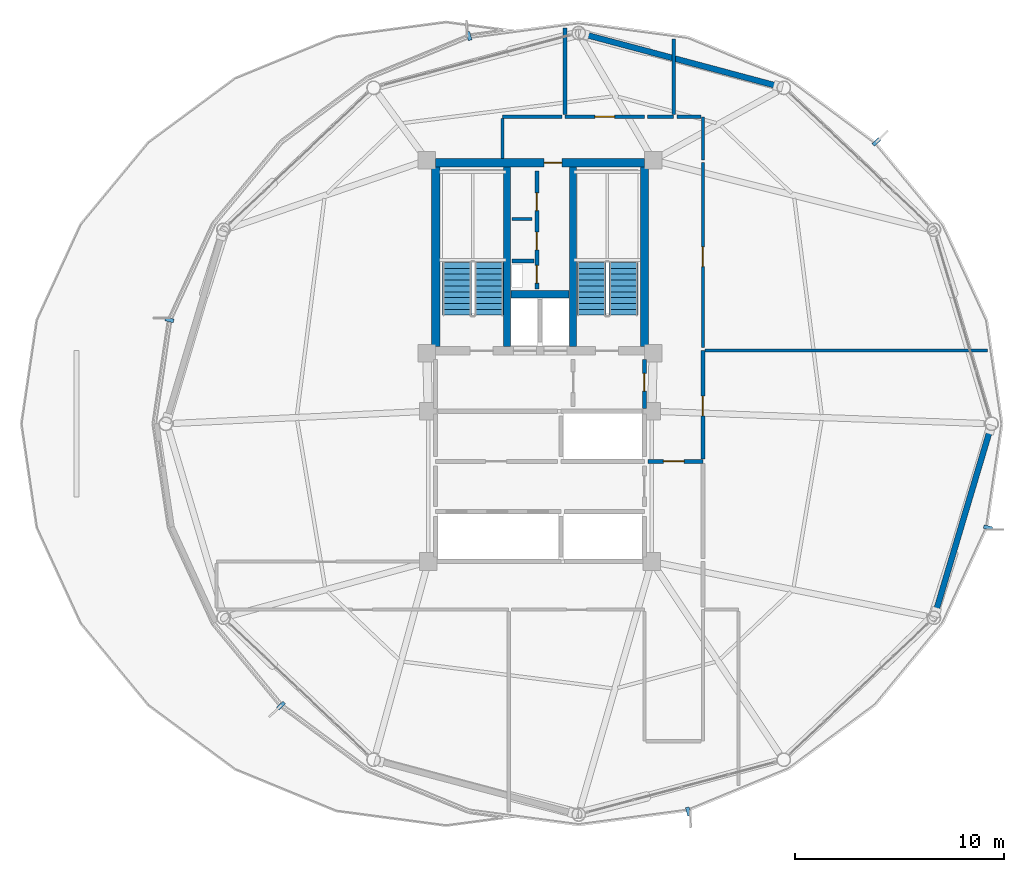
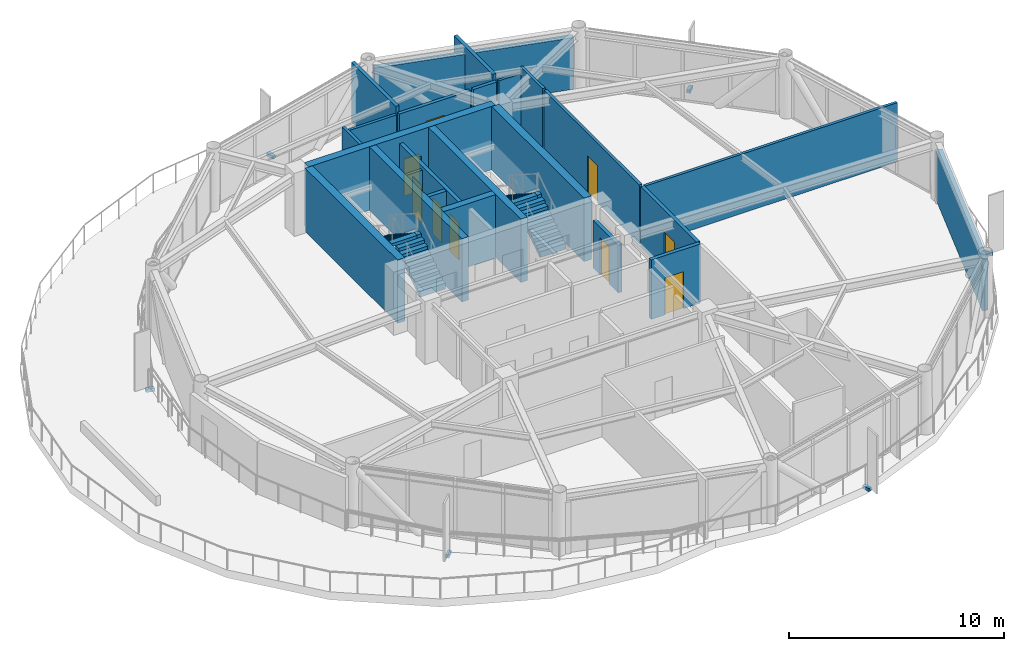
# One storey, part 21 of 25: 24 walls, 9 doors, 6 discrete accessories, 4 stair flights, 9 openings, 2 elements without a shape of their own.
"""IFC4 building model written with IfcOpenShell, lengths in metres."""

import ifcopenshell
import ifcopenshell.guid

model = None  # the IFC model being written
_history = None  # IfcOwnerHistory: only IFC2X3 demands one
_inside = {}  # id of a spatial element -> (the spatial element, [elements in it])
_under = {}  # id of a project, library or spatial element -> (it, [spatial elements below it])
_declared = {}  # id of a project -> (the project, [libraries it declares])
_typed = {}  # id of a type object -> (the type object, [elements of that type])
_made_of = {}  # id of a material, layer set ... -> (it, [elements and type objects made of it])


def new_model(schema):
    """Start an empty IFC model of exactly this schema.

    Asked for "IFC4X3", IfcOpenShell would pick the latest addendum, in which some entities
    have other attributes; the version numbers below select the first issue.
    IFC2X3 requires an IfcOwnerHistory on every rooted entity: one is made here for all.
    """
    global model, _history
    if schema == "IFC4X3":
        model = ifcopenshell.file(schema_version=(4, 3, 0, 0))
    else:
        model = ifcopenshell.file(schema=schema)
    _inside.clear()
    _under.clear()
    _declared.clear()
    _typed.clear()
    _made_of.clear()
    _history = None
    if model.schema == "IFC2X3":
        org = make("IfcOrganization", Name="unknown")
        user = make(
            "IfcPersonAndOrganization",
            ThePerson=make("IfcPerson", FamilyName="unknown"),
            TheOrganization=org,
        )
        app = make(
            "IfcApplication",
            ApplicationDeveloper=org,
            Version="unknown",
            ApplicationFullName="unknown",
            ApplicationIdentifier="unknown",
        )
        _history = make(
            "IfcOwnerHistory",
            OwningUser=user,
            OwningApplication=app,
            ChangeAction="ADDED",
            CreationDate=0,
        )
    return model


def make(cls, **values):
    """One entity of the class cls with the attributes given. An attribute that is None is left unset."""
    return model.create_entity(
        cls, **{name: value for name, value in values.items() if value is not None}
    )


def rooted(cls, **values):
    """An entity with a GlobalId (a new one), such as an element, a storey or a relation."""
    return make(cls, GlobalId=ifcopenshell.guid.new(), OwnerHistory=_history, **values)


def si_unit(unit_type, name, prefix=None):
    """IfcSIUnit, for example si_unit("LENGTHUNIT", "METRE", prefix="MILLI")."""
    return make("IfcSIUnit", UnitType=unit_type, Prefix=prefix, Name=name)


def assignment(units):
    """IfcUnitAssignment: the units of a project."""
    return None if units is None else make("IfcUnitAssignment", Units=units)


def point(xyz):
    """IfcCartesianPoint."""
    return None if xyz is None else make("IfcCartesianPoint", Coordinates=xyz)


def direction(xyz):
    """IfcDirection."""
    return None if xyz is None else make("IfcDirection", DirectionRatios=xyz)


def frame(location, z_axis=None, x_axis=None):
    """IfcAxis2Placement3D, a coordinate frame: its origin and axes. An axis left out is left unset."""
    return make(
        "IfcAxis2Placement3D",
        Location=point(location),
        Axis=direction(z_axis),
        RefDirection=direction(x_axis),
    )


def frame_2d(location, x_axis=None):
    """IfcAxis2Placement2D, a coordinate frame in the plane: its origin and x axis."""
    return make(
        "IfcAxis2Placement2D", Location=point(location), RefDirection=direction(x_axis)
    )


def origin():
    """The frame at (0, 0, 0) with its axes left unset."""
    return frame((0.0, 0.0, 0.0))


def origin_2d():
    """The frame at (0, 0) in the plane with its x axis left unset."""
    return frame_2d((0.0, 0.0))


def place(relative_to, where):
    """IfcLocalPlacement: puts the frame where relative to a parent placement (None: the world)."""
    return make(
        "IfcLocalPlacement", PlacementRelTo=relative_to, RelativePlacement=where
    )


def context(
    kind, dimensions, precision=None, world=None, true_north=None, identifier=None
):
    """IfcGeometricRepresentationContext, for example the 3D "Model" context."""
    return make(
        "IfcGeometricRepresentationContext",
        ContextIdentifier=identifier,
        ContextType=kind,
        CoordinateSpaceDimension=dimensions,
        Precision=precision,
        WorldCoordinateSystem=world,
        TrueNorth=true_north,
    )


def subcontext(parent, identifier, kind, view, scale=None):
    """IfcGeometricRepresentationSubContext, for example "Body" below "Model"."""
    return make(
        "IfcGeometricRepresentationSubContext",
        ContextIdentifier=identifier,
        ContextType=kind,
        ParentContext=parent,
        TargetScale=scale,
        TargetView=view,
    )


def project(units=None, contexts=None):
    """IfcProject with its units and contexts."""
    return rooted(
        "IfcProject",
        Name="project",
        RepresentationContexts=contexts,
        UnitsInContext=assignment(units),
    )


def spatial(cls, under=None, at=None, **own):
    """A site, building, storey or space (cls), placed at a placement, below another one or the project."""
    s = rooted(cls, ObjectPlacement=at, **own)
    if under is not None:
        _under.setdefault(under.id(), (under, []))[1].append(s)
    return s


def polyline(points):
    """IfcPolyline through the points."""
    return make("IfcPolyline", Points=[point(p) for p in points])


def profile(cls, at=None, kind="AREA", **sizes):
    """A parametric profile (cls). Its sizes go by their IFC names, for example OverallWidth=200.0."""
    return make(cls, ProfileType=kind, Position=at, **sizes)


def rectangle(**sizes):
    """IfcRectangleProfileDef."""
    return profile("IfcRectangleProfileDef", **sizes)


def outline(outer, holes=None, kind="AREA"):
    """IfcArbitraryClosedProfileDef: a profile drawn as a closed curve; with holes, ...WithVoids."""
    if holes is None:
        return make("IfcArbitraryClosedProfileDef", ProfileType=kind, OuterCurve=outer)
    return make(
        "IfcArbitraryProfileDefWithVoids",
        ProfileType=kind,
        OuterCurve=outer,
        InnerCurves=holes,
    )


def extrude(swept, where, along, depth):
    """IfcExtrudedAreaSolid: the profile swept, set in the frame where, extruded along a direction by depth."""
    return make(
        "IfcExtrudedAreaSolid",
        SweptArea=swept,
        Position=where,
        ExtrudedDirection=direction(along),
        Depth=depth,
    )


def shape(context_of_items, identifier, shape_type, items):
    """IfcShapeRepresentation: the items that make up one representation, for example the "Body"."""
    return make(
        "IfcShapeRepresentation",
        ContextOfItems=context_of_items,
        RepresentationIdentifier=identifier,
        RepresentationType=shape_type,
        Items=items,
    )


def source(mapping_origin, context_of_items, identifier, shape_type, items):
    """IfcRepresentationMap: a shape defined once, which mapped items show again and again."""
    return make(
        "IfcRepresentationMap",
        MappingOrigin=mapping_origin,
        MappedRepresentation=shape(context_of_items, identifier, shape_type, items),
    )


def transform(
    local_origin,
    x_axis=None,
    y_axis=None,
    z_axis=None,
    scale=None,
    scale2=None,
    scale3=None,
    uniform=True,
):
    """IfcCartesianTransformationOperator3D, or its non-uniform kind. x_axis, y_axis, z_axis: its Axis1, 2, 3."""
    if uniform:
        return make(
            "IfcCartesianTransformationOperator3D",
            Axis1=direction(x_axis),
            Axis2=direction(y_axis),
            LocalOrigin=point(local_origin),
            Scale=scale,
            Axis3=direction(z_axis),
        )
    return make(
        "IfcCartesianTransformationOperator3DnonUniform",
        Axis1=direction(x_axis),
        Axis2=direction(y_axis),
        LocalOrigin=point(local_origin),
        Scale=scale,
        Axis3=direction(z_axis),
        Scale2=scale2,
        Scale3=scale3,
    )


def mapped(mapping_source, mapping_target):
    """IfcMappedItem: shows the shape of a source again, moved by a transform."""
    return make(
        "IfcMappedItem", MappingSource=mapping_source, MappingTarget=mapping_target
    )


def material(Name=None, Category=None):
    """IfcMaterial."""
    return make("IfcMaterial", Name=Name, Category=Category)


def layer(
    of_material, thickness, ventilated=None, Name=None, Category=None, Priority=None
):
    """IfcMaterialLayer: one layer of a wall or slab, of a material (None: an air gap)."""
    return make(
        "IfcMaterialLayer",
        Material=of_material,
        LayerThickness=thickness,
        IsVentilated=ventilated,
        Name=Name,
        Category=Category,
        Priority=Priority,
    )


def layer_set(layers, Name=None):
    """IfcMaterialLayerSet."""
    return make("IfcMaterialLayerSet", MaterialLayers=layers, LayerSetName=Name)


def made_of(thing, what):
    """Note that an element or type object is made of a material, layer set ...; save() writes the relation."""
    if what is not None:
        _made_of.setdefault(what.id(), (what, []))[1].append(thing)
    return thing


def type_object(cls, material=None, **own):
    """A type object (cls), such as IfcWallType, which elements share."""
    return made_of(rooted(cls, **own), material)


def type_shapes(of_type, sources):
    """Give a type object the sources (RepresentationMaps) that its elements show as mapped items."""
    of_type.RepresentationMaps = sources


def element(
    cls,
    number,
    at=None,
    inside=None,
    cuts=None,
    type_object=None,
    material=None,
    context=None,
    identifier="Body",
    shape_type=None,
    held_by="IfcProductDefinitionShape",
    body=None,
    shapes=None,
    **own,
):
    """One element of the class cls, such as IfcWall. Its Tag is "e" and its number.

    at: its placement. inside: the storey or other place that contains it. cuts: it is an
    opening in that element (IfcRelVoidsElement). A single representation is given by context,
    identifier, shape_type and body (its items); several are given by shapes. held_by: the class
    of the entity that holds the representations. save() writes the other relations.
    """
    e = rooted(cls, Tag="e%d" % number, ObjectPlacement=at, **own)
    if body is not None:
        shapes = [shape(context, identifier, shape_type, body)]
    if shapes is not None:
        e.Representation = make(held_by, Representations=shapes)
    if inside is not None:
        _inside.setdefault(inside.id(), (inside, []))[1].append(e)
    if cuts is not None:
        rooted(
            "IfcRelVoidsElement", RelatingBuildingElement=cuts, RelatedOpeningElement=e
        )
    if type_object is not None:
        _typed.setdefault(type_object.id(), (type_object, []))[1].append(e)
    return made_of(e, material)


def fill(opening, filler):
    """IfcRelFillsElement: the door or window that sits in an opening."""
    return rooted(
        "IfcRelFillsElement",
        RelatingOpeningElement=opening,
        RelatedBuildingElement=filler,
    )


def aggregate(whole, parts):
    """IfcRelAggregates: a whole, such as a stair, and the parts it consists of."""
    return rooted("IfcRelAggregates", RelatingObject=whole, RelatedObjects=parts)


def save(model, path):
    """Write the relations noted so far, then the file.

    IfcRelAggregates (storeys below a building ...), IfcRelContainedInSpatialStructure (elements
    in a storey), IfcRelDefinesByType, IfcRelAssociatesMaterial and IfcRelDeclares: one each for
    every whole, place, type object, material and project.
    """
    for whole, parts in _under.values():
        aggregate(whole, parts)
    for where, things in _inside.values():
        rooted(
            "IfcRelContainedInSpatialStructure",
            RelatedElements=things,
            RelatingStructure=where,
        )
    for kind, things in _typed.values():
        rooted("IfcRelDefinesByType", RelatedObjects=things, RelatingType=kind)
    for what, things in _made_of.values():
        rooted("IfcRelAssociatesMaterial", RelatedObjects=things, RelatingMaterial=what)
    for by, libraries in _declared.values():
        rooted("IfcRelDeclares", RelatingContext=by, RelatedDefinitions=libraries)
    model.write(path)


model = new_model("IFC4")

# Units and contexts
model_context = context("Model", 3, precision=1e-05, world=origin(), true_north=direction((0.0, 1.0)))
body_context = subcontext(model_context, "Body", "Model", "MODEL_VIEW")
ifc_project = project(units=[si_unit("LENGTHUNIT", "METRE"), si_unit("AREAUNIT", "SQUARE_METRE"), si_unit("VOLUMEUNIT", "CUBIC_METRE"), si_unit("PLANEANGLEUNIT", "RADIAN"), si_unit("MASSUNIT", "GRAM", prefix="KILO")], contexts=[model_context])

# Site, building, storey
site_placement = place(None, origin())
site = spatial("IfcSite", under=ifc_project, at=site_placement, CompositionType="ELEMENT")
building_placement = place(site_placement, origin())
building = spatial("IfcBuilding", under=site, at=building_placement, Name="Varnakorn Sky Granary", CompositionType="ELEMENT")
storey_placement = place(building_placement, frame((0.0, 0.0, 178.800048828125)))
storey = spatial("IfcBuildingStorey", under=building, at=storey_placement, Name="L44", CompositionType="ELEMENT", Elevation=178.800048828125)

# Walls
ifc_material_1 = material(Name="Concrete C50/60", Category="concrete")
ifc_layer_1 = layer(ifc_material_1, 0.35009765625, Name="Concrete C50/60")
ifc_layer_set_1 = layer_set([ifc_layer_1], Name="Concrete C50/60")
wall_type_1 = type_object("IfcWallType", Name="WT-CW-INT-350", PredefinedType="SHEAR", material=ifc_layer_set_1)
for number, where, z_axis, x_axis, name in (
    (1, (1.419921875, 3.7099609375, 0.0), (0.0, 0.0, 1.0), (0.0, 1.0, 0.0), "Stair ST-1 Core Wall L44"),
    (2, (4.580078125, 3.7099609375, 0.0), (0.0, 0.0, 1.0), (0.0, 1.0, 0.0), "Stair ST-2 Core Wall L44"),
):
    element("IfcWall", number, at=place(storey_placement, frame(where, z_axis=z_axis, x_axis=x_axis)), inside=storey, type_object=wall_type_1, Name=name, PredefinedType="SHEAR", context=body_context, shape_type="SweptSolid", body=[
        extrude(rectangle(XDim=8.580078125, YDim=0.35009765625, at=frame_2d((4.2900390625, 0.0))), origin(), (0.0, 0.0, 1.0), 3.592041015625),
    ])
wall_1_placement = place(storey_placement, frame((1.610107421875, 6.199951171875, 0.0), z_axis=(0.0, 0.0, 1.0), x_axis=(1.0, 0.0, 0.0)))
element("IfcWall", 3, at=wall_1_placement, inside=storey, type_object=wall_type_1, Name="Core Lift Shaft Cross Wall L44", PredefinedType="SHEAR", context=body_context, shape_type="SweptSolid", body=[
    extrude(rectangle(XDim=2.77978515625, YDim=0.35009765625, at=frame_2d((1.389892578125, 0.0))), origin(), (0.0, 0.0, 1.0), 3.592041015625),
])

# Wall, opening, door
ifc_layer_2 = layer(ifc_material_1, 0.39990234375, Name="Concrete C50/60")
ifc_layer_set_2 = layer_set([ifc_layer_2], Name="Concrete C50/60")
wall_type_2 = type_object("IfcWallType", Name="WT-CW-SHEAR-400", PredefinedType="SHEAR", material=ifc_layer_set_2)
wall_2_placement = place(storey_placement, frame((-2.0, 12.5, 0.0), z_axis=(0.0, 0.0, 1.0), x_axis=(1.0, 0.0, 0.0)))
wall_2 = element("IfcWall", 4, at=wall_2_placement, inside=storey, type_object=wall_type_2, Name="Core North Shear Wall L44", PredefinedType="SHEAR", context=body_context, shape_type="SweptSolid", body=[
    extrude(rectangle(XDim=10.0, YDim=0.39990234375, at=frame_2d((5.0, 0.0))), origin(), (0.0, 0.0, 1.0), 3.592041015625),
])
opening_1_placement = place(wall_2_placement, frame((5.199951171875, 0.0, 0.0)))
opening_1 = element("IfcOpeningElement", 5, at=opening_1_placement, cuts=wall_2, Name="Opening FD-60N", PredefinedType="OPENING", context=body_context, shape_type="SweptSolid", body=[
    extrude(rectangle(XDim=0.85009765625, YDim=2.10009765625, at=frame_2d((0.425048828125, 1.050048828125))), frame((0.0, 0.2099609375, 0.0), z_axis=(0.0, -1.0, 0.0), x_axis=(1.0, 0.0, 0.0)), (0.0, 0.0, 1.0), 0.419921875),
])
ifc_material_2 = material(Name="Acoustic Timber Fire Leaf", Category="wood")
door_type_1 = type_object("IfcDoorType", Name="DR-FD60-850", OperationType="NOTDEFINED", PredefinedType="DOOR", material=ifc_material_2)
door_1_placement = place(opening_1_placement, origin())
door_1 = element("IfcDoor", 6, at=door_1_placement, inside=storey, type_object=door_type_1, Name="Core North Service Door L44", OperationType="SINGLE_SWING_RIGHT", OverallHeight=2.10009765625, OverallWidth=0.85009765625, PredefinedType="DOOR", context=body_context, shape_type="SweptSolid", body=[
    extrude(rectangle(XDim=0.85009765625, YDim=2.10009765625, at=frame_2d((0.425048828125, 1.050048828125))), frame((0.0, 0.02490234375, 0.0), z_axis=(0.0, -1.0, 0.0), x_axis=(1.0, 0.0, 0.0)), (0.0, 0.0, 1.0), 0.050048828125),
])
fill(opening_1, door_1)

# Walls
for number, where, z_axis, x_axis, name in (
    (7, (-2.0, 3.7099609375, 0.0), (0.0, 0.0, 1.0), (0.0, 1.0, 0.0), "Core West Shear Wall L44"),
    (8, (8.0, 3.7099609375, 0.0), (0.0, 0.0, 1.0), (0.0, 1.0, 0.0), "Core East Shear Wall L44"),
):
    element("IfcWall", number, at=place(storey_placement, frame(where, z_axis=z_axis, x_axis=x_axis)), inside=storey, type_object=wall_type_2, Name=name, PredefinedType="SHEAR", context=body_context, shape_type="SweptSolid", body=[
        extrude(rectangle(XDim=8.580078125, YDim=0.39990234375, at=frame_2d((4.2900390625, 0.0))), origin(), (0.0, 0.0, 1.0), 3.592041015625),
    ])
ifc_material_3 = material(Name="Precast concrete C40/50", Category="concrete")
ifc_layer_3 = layer(ifc_material_3, 0.280029296875, Name="Precast concrete C40/50")
ifc_layer_set_3 = layer_set([ifc_layer_3], Name="Precast concrete C40/50")
wall_type_3 = type_object("IfcWallType", Name="WT-EW-CRN-280", PredefinedType="SOLIDWALL", material=ifc_layer_set_3)
wall_3_placement = place(storey_placement, frame((5.125244140625, 18.642333984375, 0.0), z_axis=(0.0, 0.0, 1.0), x_axis=(0.966124239296, -0.258077419091, 0.0)))
element("IfcWall", 9, at=wall_3_placement, inside=storey, type_object=wall_type_3, Name="Agritech Insulated Precast Facade Wall L44-P03", PredefinedType="SOLIDWALL", context=body_context, shape_type="SweptSolid", body=[
    extrude(rectangle(XDim=9.59814453125, YDim=0.280029296875, at=frame_2d((4.799072265625, 0.0))), origin(), (0.0, 0.0, 1.0), 2.929931640625),
])
wall_4_placement = place(storey_placement, frame((24.550537109375, -0.273193359375, 0.0), z_axis=(0.0, 0.0, 1.0), x_axis=(-0.285437365911, -0.958397365471, 0.0)))
element("IfcWall", 10, at=wall_4_placement, inside=storey, type_object=wall_type_3, Name="Agritech Insulated Precast Facade Wall L44-P12", PredefinedType="SOLIDWALL", context=body_context, shape_type="SweptSolid", body=[
    extrude(rectangle(XDim=9.123779296875, YDim=0.280029296875, at=frame_2d((4.56201171875, 0.0))), origin(), (0.0, 0.0, 1.0), 2.929931640625),
])

# Wall, openings, doors
ifc_material_4 = material(Name="Autoclaved Aerated Concrete Blockwork", Category="masonry")
ifc_layer_4 = layer(ifc_material_4, 0.199951171875, Name="Autoclaved Aerated Concrete Blockwork")
ifc_layer_set_4 = layer_set([ifc_layer_4], Name="Autoclaved Aerated Concrete Blockwork")
wall_type_4 = type_object("IfcWallType", Name="WT-FIRE-200", PredefinedType="MOVABLE", material=ifc_layer_set_4)
wall_5_placement = place(storey_placement, frame((2.85009765625, 6.449951171875, 0.0), z_axis=(0.0, 0.0, 1.0), x_axis=(0.0, 1.0, 0.0)))
wall_5 = element("IfcWall", 11, at=wall_5_placement, inside=storey, type_object=wall_type_4, Name="Interior Partition Wall L44-014", PredefinedType="MOVABLE", context=body_context, shape_type="SweptSolid", body=[
    extrude(rectangle(XDim=5.650146484375, YDim=0.199951171875, at=frame_2d((2.8251953125, 0.0))), origin(), (0.0, 0.0, 1.0), 3.35986328125),
])
opening_2_placement = place(wall_5_placement, frame((1.8798828125, 0.0, 0.0)))
opening_2 = element("IfcOpeningElement", 12, at=opening_2_placement, cuts=wall_5, Name="Opening RD-85", PredefinedType="OPENING", context=body_context, shape_type="SweptSolid", body=[
    extrude(rectangle(XDim=0.85009765625, YDim=2.050048828125, at=frame_2d((0.425048828125, 1.02490234375))), frame((0.0, 0.10986328125, 0.0), z_axis=(0.0, -1.0, 0.0), x_axis=(1.0, 0.0, 0.0)), (0.0, 0.0, 1.0), 0.219970703125),
])
opening_3_placement = place(wall_5_placement, frame((3.75, 0.0, 0.0)))
opening_3 = element("IfcOpeningElement", 13, at=opening_3_placement, cuts=wall_5, Name="Opening FD-60N", PredefinedType="OPENING", context=body_context, shape_type="SweptSolid", body=[
    extrude(rectangle(XDim=0.85009765625, YDim=2.10009765625, at=frame_2d((0.425048828125, 1.050048828125))), frame((0.0, 0.10986328125, 0.0), z_axis=(0.0, -1.0, 0.0), x_axis=(1.0, 0.0, 0.0)), (0.0, 0.0, 1.0), 0.219970703125),
])
opening_4_placement = place(wall_5_placement, frame((0.280029296875, 0.0, 0.0)))
opening_4 = element("IfcOpeningElement", 14, at=opening_4_placement, cuts=wall_5, Name="Opening FD-60N", PredefinedType="OPENING", context=body_context, shape_type="SweptSolid", body=[
    extrude(rectangle(XDim=0.85009765625, YDim=2.10009765625, at=frame_2d((0.425048828125, 1.050048828125))), frame((0.0, 0.10986328125, 0.0), z_axis=(0.0, -1.0, 0.0), x_axis=(1.0, 0.0, 0.0)), (0.0, 0.0, 1.0), 0.219970703125),
])
door_2_placement = place(opening_3_placement, origin())
door_2 = element("IfcDoor", 15, at=door_2_placement, inside=storey, type_object=door_type_1, Name="Interior Door L44-014-2", OperationType="SINGLE_SWING_LEFT", OverallHeight=2.10009765625, OverallWidth=0.85009765625, PredefinedType="DOOR", context=body_context, shape_type="SweptSolid", body=[
    extrude(rectangle(XDim=0.85009765625, YDim=2.10009765625, at=frame_2d((0.425048828125, 1.050048828125))), frame((0.0, 0.02490234375, 0.0), z_axis=(0.0, -1.0, 0.0), x_axis=(1.0, 0.0, 0.0)), (0.0, 0.0, 1.0), 0.050048828125),
])
fill(opening_3, door_2)
door_3_placement = place(opening_4_placement, origin())
door_3 = element("IfcDoor", 16, at=door_3_placement, inside=storey, type_object=door_type_1, Name="Interior Door L44-014-3", OperationType="SINGLE_SWING_RIGHT", OverallHeight=2.10009765625, OverallWidth=0.85009765625, PredefinedType="DOOR", context=body_context, shape_type="SweptSolid", body=[
    extrude(rectangle(XDim=0.85009765625, YDim=2.10009765625, at=frame_2d((0.425048828125, 1.050048828125))), frame((0.0, 0.02490234375, 0.0), z_axis=(0.0, -1.0, 0.0), x_axis=(1.0, 0.0, 0.0)), (0.0, 0.0, 1.0), 0.050048828125),
])
fill(opening_4, door_3)
ifc_material_5 = material(Name="Galvanised Painted Steel Leaf", Category="steel")
door_type_2 = type_object("IfcDoorType", Name="DR-RIS-850", OperationType="NOTDEFINED", PredefinedType="DOOR", material=ifc_material_5)
door_4_placement = place(opening_2_placement, origin())
door_4 = element("IfcDoor", 17, at=door_4_placement, inside=storey, type_object=door_type_2, Name="MEP Riser Shaft Access Door L44-014-1", OperationType="SINGLE_SWING_RIGHT", OverallHeight=2.050048828125, OverallWidth=0.85009765625, PredefinedType="DOOR", context=body_context, shape_type="SweptSolid", body=[
    extrude(rectangle(XDim=0.85009765625, YDim=2.050048828125, at=frame_2d((0.425048828125, 1.02490234375))), frame((0.0, 0.02490234375, 0.0), z_axis=(0.0, -1.0, 0.0), x_axis=(1.0, 0.0, 0.0)), (0.0, 0.0, 1.0), 0.050048828125),
])
fill(opening_2, door_4)

# Wall, opening, door
wall_6_placement = place(storey_placement, frame((8.0, 0.719970703125, 0.0), z_axis=(0.0, 0.0, 1.0), x_axis=(0.0, 1.0, 0.0)))
wall_6 = element("IfcWall", 18, at=wall_6_placement, inside=storey, type_object=wall_type_4, Name="Interior Partition Wall L44-016", PredefinedType="MOVABLE", context=body_context, shape_type="SweptSolid", body=[
    extrude(rectangle(XDim=2.35009765625, YDim=0.199951171875, at=frame_2d((1.175048828125, 0.0))), origin(), (0.0, 0.0, 1.0), 2.69189453125),
])
opening_5_placement = place(wall_6_placement, frame((0.844970703125, 0.0, 0.0)))
opening_5 = element("IfcOpeningElement", 19, at=opening_5_placement, cuts=wall_6, Name="Opening FD-60N", PredefinedType="OPENING", context=body_context, shape_type="SweptSolid", body=[
    extrude(rectangle(XDim=0.85009765625, YDim=2.10009765625, at=frame_2d((0.425048828125, 1.050048828125))), frame((0.0, 0.10986328125, 0.0), z_axis=(0.0, -1.0, 0.0), x_axis=(1.0, 0.0, 0.0)), (0.0, 0.0, 1.0), 0.219970703125),
])
door_5_placement = place(opening_5_placement, origin())
door_5 = element("IfcDoor", 20, at=door_5_placement, inside=storey, type_object=door_type_1, Name="Interior Door L44-016-1", OperationType="SINGLE_SWING_RIGHT", OverallHeight=2.10009765625, OverallWidth=0.85009765625, PredefinedType="DOOR", context=body_context, shape_type="SweptSolid", body=[
    extrude(rectangle(XDim=0.85009765625, YDim=2.10009765625, at=frame_2d((0.425048828125, 1.050048828125))), frame((0.0, 0.02490234375, 0.0), z_axis=(0.0, -1.0, 0.0), x_axis=(1.0, 0.0, 0.0)), (0.0, 0.0, 1.0), 0.050048828125),
])
fill(opening_5, door_5)

wall_7_placement = place(storey_placement, frame((8.159912109375, -1.800048828125, 0.0), z_axis=(0.0, 0.0, 1.0), x_axis=(1.0, 0.0, 0.0)))
wall_7 = element("IfcWall", 21, at=wall_7_placement, inside=storey, type_object=wall_type_4, Name="Interior Partition Wall L44-019", PredefinedType="MOVABLE", context=body_context, shape_type="SweptSolid", body=[
    extrude(rectangle(XDim=2.64013671875, YDim=0.199951171875, at=frame_2d((1.320068359375, 0.0))), origin(), (0.0, 0.0, 1.0), 3.35986328125),
])
opening_6_placement = place(wall_7_placement, frame((0.739990234375, 0.0, 0.0)))
opening_6 = element("IfcOpeningElement", 22, at=opening_6_placement, cuts=wall_7, Name="Opening FD-60", PredefinedType="OPENING", context=body_context, shape_type="SweptSolid", body=[
    extrude(rectangle(XDim=1.0, YDim=2.10009765625, at=frame_2d((0.5, 1.050048828125))), frame((0.0, 0.10986328125, 0.0), z_axis=(0.0, -1.0, 0.0), x_axis=(1.0, 0.0, 0.0)), (0.0, 0.0, 1.0), 0.219970703125),
])
door_type_3 = type_object("IfcDoorType", Name="DR-FD60-1000", OperationType="NOTDEFINED", PredefinedType="DOOR", material=ifc_material_2)
door_6_placement = place(opening_6_placement, origin())
door_6 = element("IfcDoor", 23, at=door_6_placement, inside=storey, type_object=door_type_3, Name="Interior Door L44-019-1", OperationType="SINGLE_SWING_LEFT", OverallHeight=2.10009765625, OverallWidth=1.0, PredefinedType="DOOR", context=body_context, shape_type="SweptSolid", body=[
    extrude(rectangle(XDim=1.0, YDim=2.10009765625, at=frame_2d((0.5, 1.050048828125))), frame((0.0, 0.02490234375, 0.0), z_axis=(0.0, -1.0, 0.0), x_axis=(1.0, 0.0, 0.0)), (0.0, 0.0, 1.0), 0.050048828125),
])
fill(opening_6, door_6)

ifc_material_6 = material(Name="Gypsum Plasterboard on Steel Stud", Category="steel")
ifc_layer_5 = layer(ifc_material_6, 0.14990234375, Name="Gypsum Plasterboard on Steel Stud")
ifc_layer_set_5 = layer_set([ifc_layer_5], Name="Gypsum Plasterboard on Steel Stud")
wall_type_5 = type_object("IfcWallType", Name="WT-PART-150", PredefinedType="PARTITIONING", material=ifc_layer_set_5)
wall_8_placement = place(storey_placement, frame((10.800048828125, 3.64990234375, 0.0), z_axis=(0.0, 0.0, 1.0), x_axis=(0.0, 1.0, 0.0)))
wall_8 = element("IfcWall", 24, at=wall_8_placement, inside=storey, type_object=wall_type_5, Name="Interior Partition Wall L44-025", PredefinedType="PARTITIONING", context=body_context, shape_type="SweptSolid", body=[
    extrude(rectangle(XDim=8.85009765625, YDim=0.14990234375, at=frame_2d((4.425048828125, 0.0))), origin(), (0.0, 0.0, 1.0), 3.35986328125),
])
opening_7_placement = place(wall_8_placement, frame((3.875, 0.0, 0.0)))
opening_7 = element("IfcOpeningElement", 25, at=opening_7_placement, cuts=wall_8, Name="Opening ID-95", PredefinedType="OPENING", context=body_context, shape_type="SweptSolid", body=[
    extrude(rectangle(XDim=0.949951171875, YDim=2.10009765625, at=frame_2d((0.47509765625, 1.050048828125))), frame((0.0, 0.0849609375, 0.0), z_axis=(0.0, -1.0, 0.0), x_axis=(1.0, 0.0, 0.0)), (0.0, 0.0, 1.0), 0.169921875),
])
ifc_material_7 = material(Name="Solid-Core Teak Veneer Leaf", Category="timber")
door_type_4 = type_object("IfcDoorType", Name="DR-INT-950", OperationType="NOTDEFINED", PredefinedType="DOOR", material=ifc_material_7)
door_7_placement = place(opening_7_placement, origin())
door_7 = element("IfcDoor", 26, at=door_7_placement, inside=storey, type_object=door_type_4, Name="Interior Door L44-025-1", OperationType="SINGLE_SWING_LEFT", OverallHeight=2.10009765625, OverallWidth=0.949951171875, PredefinedType="DOOR", context=body_context, shape_type="SweptSolid", body=[
    extrude(rectangle(XDim=0.949951171875, YDim=2.10009765625, at=frame_2d((0.47509765625, 1.050048828125))), frame((0.0, 0.02490234375, 0.0), z_axis=(0.0, -1.0, 0.0), x_axis=(1.0, 0.0, 0.0)), (0.0, 0.0, 1.0), 0.050048828125),
])
fill(opening_7, door_7)

# Walls
wall_9_placement = place(storey_placement, frame((1.64990234375, 9.800048828125, 0.0), z_axis=(0.0, 0.0, 1.0), x_axis=(1.0, 0.0, 0.0)))
element("IfcWall", 27, at=wall_9_placement, inside=storey, type_object=wall_type_5, Name="Interior Partition Wall L44-026", PredefinedType="PARTITIONING", context=body_context, shape_type="SweptSolid", body=[
    extrude(rectangle(XDim=0.960205078125, YDim=0.14990234375, at=frame_2d((0.47998046875, 0.0))), origin(), (0.0, 0.0, 1.0), 3.35986328125),
])
wall_10_placement = place(storey_placement, frame((4.050048828125, 14.699951171875, 0.0), z_axis=(0.0, 0.0, 1.0), x_axis=(-1.0, 0.0, 0.0)))
element("IfcWall", 28, at=wall_10_placement, inside=storey, type_object=wall_type_5, Name="Interior Partition Wall L44-039", PredefinedType="PARTITIONING", context=body_context, shape_type="SweptSolid", body=[
    extrude(rectangle(XDim=2.85009765625, YDim=0.14990234375, at=frame_2d((1.425048828125, 0.0))), origin(), (0.0, 0.0, 1.0), 3.011962890625),
])
wall_11_placement = place(storey_placement, frame((1.199951171875, 14.614990234375, 0.0), z_axis=(0.0, 0.0, 1.0), x_axis=(0.0, -1.0, 0.0)))
element("IfcWall", 29, at=wall_11_placement, inside=storey, type_object=wall_type_5, Name="Interior Partition Wall L44-040", PredefinedType="PARTITIONING", context=body_context, shape_type="SweptSolid", body=[
    extrude(rectangle(XDim=1.905029296875, YDim=0.14990234375, at=frame_2d((0.95263671875, 0.0))), origin(), (0.0, 0.0, 1.0), 3.35986328125),
])
wall_12_placement = place(storey_placement, frame((10.89990234375, 3.5, 0.0), z_axis=(0.0, 0.0, 1.0), x_axis=(1.0, 0.0, 0.0)))
element("IfcWall", 30, at=wall_12_placement, inside=storey, type_object=wall_type_5, Name="Interior Partition Wall L44-044", PredefinedType="PARTITIONING", context=body_context, shape_type="SweptSolid", body=[
    extrude(rectangle(XDim=13.523193359375, YDim=0.14990234375, at=frame_2d((6.76171875, 0.0))), origin(), (0.0, 0.0, 1.0), 3.35986328125),
])
wall_13_placement = place(storey_placement, frame((10.800048828125, 12.635009765625, 0.0), z_axis=(0.0, 0.0, 1.0), x_axis=(0.0, 1.0, 0.0)))
element("IfcWall", 31, at=wall_13_placement, inside=storey, type_object=wall_type_5, Name="Interior Partition Wall L44-045", PredefinedType="PARTITIONING", context=body_context, shape_type="SweptSolid", body=[
    extrude(rectangle(XDim=2.06494140625, YDim=0.14990234375, at=frame_2d((1.032470703125, 0.0))), origin(), (0.0, 0.0, 1.0), 3.35986328125),
])
wall_14_placement = place(storey_placement, frame((10.715087890625, 14.699951171875, 0.0), z_axis=(0.0, 0.0, 1.0), x_axis=(-1.0, 0.0, 0.0)))
element("IfcWall", 32, at=wall_14_placement, inside=storey, type_object=wall_type_5, Name="Interior Partition Wall L44-046", PredefinedType="PARTITIONING", context=body_context, shape_type="SweptSolid", body=[
    extrude(rectangle(XDim=1.1650390625, YDim=0.14990234375, at=frame_2d((0.58251953125, 0.0))), origin(), (0.0, 0.0, 1.0), 3.011962890625),
])

# Wall, opening, door
ifc_material_8 = material(Name="Moisture-Resistant Gypsum on Stud", Category="gypsum")
ifc_layer_6 = layer(ifc_material_8, 0.179931640625, Name="Moisture-Resistant Gypsum on Stud")
ifc_layer_set_6 = layer_set([ifc_layer_6], Name="Moisture-Resistant Gypsum on Stud")
wall_type_6 = type_object("IfcWallType", Name="WT-PLUMB-180", PredefinedType="PLUMBINGWALL", material=ifc_layer_set_6)
wall_15_placement = place(storey_placement, frame((8.0, 14.699951171875, 0.0), z_axis=(0.0, 0.0, 1.0), x_axis=(-1.0, 0.0, 0.0)))
wall_15 = element("IfcWall", 33, at=wall_15_placement, inside=storey, type_object=wall_type_6, Name="Interior Partition Wall L44-020", PredefinedType="PLUMBINGWALL", context=body_context, shape_type="SweptSolid", body=[
    extrude(rectangle(XDim=3.800048828125, YDim=0.179931640625, at=frame_2d((1.89990234375, 0.0))), origin(), (0.0, 0.0, 1.0), 3.011962890625),
])
opening_8_placement = place(wall_15_placement, frame((1.425048828125, 0.0, 0.0)))
opening_8 = element("IfcOpeningElement", 34, at=opening_8_placement, cuts=wall_15, Name="Opening ID-95", PredefinedType="OPENING", context=body_context, shape_type="SweptSolid", body=[
    extrude(rectangle(XDim=0.949951171875, YDim=2.10009765625, at=frame_2d((0.47509765625, 1.050048828125))), frame((0.0, 0.10009765625, 0.0), z_axis=(0.0, -1.0, 0.0), x_axis=(1.0, 0.0, 0.0)), (0.0, 0.0, 1.0), 0.199951171875),
])
door_8_placement = place(opening_8_placement, origin())
door_8 = element("IfcDoor", 35, at=door_8_placement, inside=storey, type_object=door_type_4, Name="Interior Door L44-020-1", OperationType="SINGLE_SWING_RIGHT", OverallHeight=2.10009765625, OverallWidth=0.949951171875, PredefinedType="DOOR", context=body_context, shape_type="SweptSolid", body=[
    extrude(rectangle(XDim=0.949951171875, YDim=2.10009765625, at=frame_2d((0.47509765625, 1.050048828125))), frame((0.0, 0.02490234375, 0.0), z_axis=(0.0, -1.0, 0.0), x_axis=(1.0, 0.0, 0.0)), (0.0, 0.0, 1.0), 0.050048828125),
])
fill(opening_8, door_8)

wall_16_placement = place(storey_placement, frame((10.800048828125, -1.68994140625, 0.0), z_axis=(0.0, 0.0, 1.0), x_axis=(0.0, 1.0, 0.0)))
wall_16 = element("IfcWall", 36, at=wall_16_placement, inside=storey, type_object=wall_type_6, Name="Interior Partition Wall L44-024", PredefinedType="PLUMBINGWALL", context=body_context, shape_type="SweptSolid", body=[
    extrude(rectangle(XDim=5.18994140625, YDim=0.179931640625, at=frame_2d((2.594970703125, 0.0))), origin(), (0.0, 0.0, 1.0), 3.35986328125),
])
opening_9_placement = place(wall_16_placement, frame((2.06494140625, 0.0, 0.0)))
opening_9 = element("IfcOpeningElement", 37, at=opening_9_placement, cuts=wall_16, Name="Opening ID-95", PredefinedType="OPENING", context=body_context, shape_type="SweptSolid", body=[
    extrude(rectangle(XDim=0.949951171875, YDim=2.10009765625, at=frame_2d((0.47509765625, 1.050048828125))), frame((0.0, 0.10009765625, 0.0), z_axis=(0.0, -1.0, 0.0), x_axis=(1.0, 0.0, 0.0)), (0.0, 0.0, 1.0), 0.199951171875),
])
door_9_placement = place(opening_9_placement, origin())
door_9 = element("IfcDoor", 38, at=door_9_placement, inside=storey, type_object=door_type_4, Name="Interior Door L44-024-1", OperationType="SINGLE_SWING_RIGHT", OverallHeight=2.10009765625, OverallWidth=0.949951171875, PredefinedType="DOOR", context=body_context, shape_type="SweptSolid", body=[
    extrude(rectangle(XDim=0.949951171875, YDim=2.10009765625, at=frame_2d((0.47509765625, 1.050048828125))), frame((0.0, 0.02490234375, 0.0), z_axis=(0.0, -1.0, 0.0), x_axis=(1.0, 0.0, 0.0)), (0.0, 0.0, 1.0), 0.050048828125),
])
fill(opening_9, door_9)

# Walls
wall_17_placement = place(storey_placement, frame((9.39990234375, 14.699951171875, 0.0), z_axis=(0.0, 0.0, 1.0), x_axis=(-1.0, 0.0, 0.0)))
element("IfcWall", 39, at=wall_17_placement, inside=storey, type_object=wall_type_6, Name="Interior Partition Wall L44-031", PredefinedType="PLUMBINGWALL", context=body_context, shape_type="SweptSolid", body=[
    extrude(rectangle(XDim=1.25, YDim=0.179931640625, at=frame_2d((0.625, 0.0))), origin(), (0.0, 0.0, 1.0), 3.011962890625),
])
wall_18_placement = place(storey_placement, frame((4.199951171875, 18.93896484375, 0.0), z_axis=(0.0, 0.0, 1.0), x_axis=(0.0, -1.0, 0.0)))
element("IfcWall", 40, at=wall_18_placement, inside=storey, type_object=wall_type_6, Name="Interior Partition Wall L44-041", PredefinedType="PLUMBINGWALL", context=body_context, shape_type="SweptSolid", body=[
    extrude(rectangle(XDim=4.138916015625, YDim=0.179931640625, at=frame_2d((2.0693359375, 0.0))), origin(), (0.0, 0.0, 1.0), 3.35986328125),
])
wall_19_placement = place(storey_placement, frame((9.39990234375, 14.800048828125, 0.0), z_axis=(0.0, 0.0, 1.0), x_axis=(0.0, 1.0, 0.0)))
element("IfcWall", 41, at=wall_19_placement, inside=storey, type_object=wall_type_6, Name="Interior Partition Wall L44-047", PredefinedType="PLUMBINGWALL", context=body_context, shape_type="SweptSolid", body=[
    extrude(rectangle(XDim=3.618896484375, YDim=0.179931640625, at=frame_2d((1.8095703125, 0.0))), origin(), (0.0, 0.0, 1.0), 3.35986328125),
])
ifc_layer_7 = layer(ifc_material_4, 0.199951171875, Name="Autoclaved Aerated Concrete Blockwork")
ifc_layer_set_7 = layer_set([ifc_layer_7], Name="Autoclaved Aerated Concrete Blockwork")
wall_type_7 = type_object("IfcWallType", Name="WT-SHAFT-200", PredefinedType="SOLIDWALL", material=ifc_layer_set_7)
wall_20_placement = place(storey_placement, frame((1.64990234375, 7.800048828125, 0.0), z_axis=(0.0, 0.0, 1.0), x_axis=(1.0, 0.0, 0.0)))
element("IfcWall", 42, at=wall_20_placement, inside=storey, type_object=wall_type_7, Name="Interior Partition Wall L44-002", PredefinedType="SOLIDWALL", context=body_context, shape_type="SweptSolid", body=[
    extrude(rectangle(XDim=1.070068359375, YDim=0.199951171875, at=frame_2d((0.53515625, 0.0))), origin(), (0.0, 0.0, 1.0), 3.35986328125),
])

# Stair, stair flights
ifc_material_9 = material(Name="Concrete C40/50", Category="concrete")
stair_type = type_object("IfcStairType", Name="ST-MAIN-ASSEMBLY", PredefinedType="HALF_TURN_STAIR", material=ifc_material_9)
stair_1_placement = place(storey_placement, origin())
stair_1 = element("IfcStair", 43, at=stair_1_placement, inside=storey, type_object=stair_type, Name="L44 Protected Exit Stair ST-1", PredefinedType="HALF_TURN_STAIR")
stair_flight_type = type_object("IfcStairFlightType", Name="ST-MAIN-FLIGHT", PredefinedType="STRAIGHT", material=ifc_material_9)
stair_flight_1_placement = place(storey_placement, frame((0.550048828125, 5.199951171875, 0.0), z_axis=(0.0, 0.0, 1.0), x_axis=(0.0, 1.0, 0.0)))
stair_flight_1 = element("IfcStairFlight", 44, at=stair_flight_1_placement, type_object=stair_flight_type, Name="ST-1 flight 1", NumberOfRisers=10, NumberOfTreads=9, PredefinedType="STRAIGHT", RiserHeight=0.18, TreadLength=0.28, context=body_context, shape_type="SweptSolid", body=[
    extrude(outline(polyline([(0.0, -0.14990234375), (0.0, 0.0), (0.0, 0.179931640625), (0.280029296875, 0.179931640625), (0.280029296875, 0.360107421875), (0.56005859375, 0.360107421875), (0.56005859375, 0.5400390625), (0.840087890625, 0.5400390625), (0.840087890625, 0.719970703125), (1.1201171875, 0.719970703125), (1.1201171875, 0.89990234375), (1.39990234375, 0.89990234375), (1.39990234375, 1.080078125), (1.679931640625, 1.080078125), (1.679931640625, 1.260009765625), (1.9599609375, 1.260009765625), (1.9599609375, 1.43994140625), (2.239990234375, 1.43994140625), (2.239990234375, 1.6201171875), (2.52001953125, 1.6201171875), (2.52001953125, 1.800048828125), (2.52001953125, 1.44189453125), (0.050048828125, -0.14990234375), (0.0, -0.14990234375)])), frame((0.0, 0.68994140625, 0.0), z_axis=(0.0, -1.0, 0.0), x_axis=(1.0, 0.0, 0.0)), (0.0, 0.0, 1.0), 1.3798828125),
])
stair_flight_2_placement = place(storey_placement, frame((-0.97998046875, 7.719970703125, 1.800048828125), z_axis=(0.0, 0.0, 1.0), x_axis=(0.0, -1.0, 0.0)))
stair_flight_2 = element("IfcStairFlight", 45, at=stair_flight_2_placement, type_object=stair_flight_type, Name="ST-1 flight 2", NumberOfRisers=10, NumberOfTreads=9, PredefinedType="STRAIGHT", RiserHeight=0.18, TreadLength=0.28, context=body_context, shape_type="SweptSolid", body=[
    extrude(outline(polyline([(0.0, -0.14990234375), (0.0, 0.0), (0.0, 0.179931640625), (0.280029296875, 0.179931640625), (0.280029296875, 0.360107421875), (0.56005859375, 0.360107421875), (0.56005859375, 0.5400390625), (0.840087890625, 0.5400390625), (0.840087890625, 0.719970703125), (1.1201171875, 0.719970703125), (1.1201171875, 0.89990234375), (1.39990234375, 0.89990234375), (1.39990234375, 1.080078125), (1.679931640625, 1.080078125), (1.679931640625, 1.260009765625), (1.9599609375, 1.260009765625), (1.9599609375, 1.43994140625), (2.239990234375, 1.43994140625), (2.239990234375, 1.6201171875), (2.52001953125, 1.6201171875), (2.52001953125, 1.800048828125), (2.52001953125, 1.44189453125), (0.050048828125, -0.14990234375), (0.0, -0.14990234375)])), frame((0.0, 0.68994140625, 0.0), z_axis=(0.0, -1.0, 0.0), x_axis=(1.0, 0.0, 0.0)), (0.0, 0.0, 1.0), 1.3798828125),
])
aggregate(stair_1, [stair_flight_1, stair_flight_2])

stair_2_placement = place(storey_placement, origin())
stair_2 = element("IfcStair", 46, at=stair_2_placement, inside=storey, type_object=stair_type, Name="L44 Protected Exit Stair ST-2", PredefinedType="HALF_TURN_STAIR")
stair_flight_3_placement = place(storey_placement, frame((6.989990234375, 5.199951171875, 0.0), z_axis=(0.0, 0.0, 1.0), x_axis=(0.0, 1.0, 0.0)))
stair_flight_3 = element("IfcStairFlight", 47, at=stair_flight_3_placement, type_object=stair_flight_type, Name="ST-2 flight 1", NumberOfRisers=10, NumberOfTreads=9, PredefinedType="STRAIGHT", RiserHeight=0.18, TreadLength=0.28, context=body_context, shape_type="SweptSolid", body=[
    extrude(outline(polyline([(0.0, -0.14990234375), (0.0, 0.0), (0.0, 0.179931640625), (0.280029296875, 0.179931640625), (0.280029296875, 0.360107421875), (0.56005859375, 0.360107421875), (0.56005859375, 0.5400390625), (0.840087890625, 0.5400390625), (0.840087890625, 0.719970703125), (1.1201171875, 0.719970703125), (1.1201171875, 0.89990234375), (1.39990234375, 0.89990234375), (1.39990234375, 1.080078125), (1.679931640625, 1.080078125), (1.679931640625, 1.260009765625), (1.9599609375, 1.260009765625), (1.9599609375, 1.43994140625), (2.239990234375, 1.43994140625), (2.239990234375, 1.6201171875), (2.52001953125, 1.6201171875), (2.52001953125, 1.800048828125), (2.52001953125, 1.44189453125), (0.050048828125, -0.14990234375), (0.0, -0.14990234375)])), frame((0.0, 0.68994140625, 0.0), z_axis=(0.0, -1.0, 0.0), x_axis=(1.0, 0.0, 0.0)), (0.0, 0.0, 1.0), 1.3798828125),
])
stair_flight_4_placement = place(storey_placement, frame((5.4599609375, 7.719970703125, 1.800048828125), z_axis=(0.0, 0.0, 1.0), x_axis=(0.0, -1.0, 0.0)))
stair_flight_4 = element("IfcStairFlight", 48, at=stair_flight_4_placement, type_object=stair_flight_type, Name="ST-2 flight 2", NumberOfRisers=10, NumberOfTreads=9, PredefinedType="STRAIGHT", RiserHeight=0.18, TreadLength=0.28, context=body_context, shape_type="SweptSolid", body=[
    extrude(outline(polyline([(0.0, -0.14990234375), (0.0, 0.0), (0.0, 0.179931640625), (0.280029296875, 0.179931640625), (0.280029296875, 0.360107421875), (0.56005859375, 0.360107421875), (0.56005859375, 0.5400390625), (0.840087890625, 0.5400390625), (0.840087890625, 0.719970703125), (1.1201171875, 0.719970703125), (1.1201171875, 0.89990234375), (1.39990234375, 0.89990234375), (1.39990234375, 1.080078125), (1.679931640625, 1.080078125), (1.679931640625, 1.260009765625), (1.9599609375, 1.260009765625), (1.9599609375, 1.43994140625), (2.239990234375, 1.43994140625), (2.239990234375, 1.6201171875), (2.52001953125, 1.6201171875), (2.52001953125, 1.800048828125), (2.52001953125, 1.44189453125), (0.050048828125, -0.14990234375), (0.0, -0.14990234375)])), frame((0.0, 0.68994140625, 0.0), z_axis=(0.0, -1.0, 0.0), x_axis=(1.0, 0.0, 0.0)), (0.0, 0.0, 1.0), 1.3798828125),
])
aggregate(stair_2, [stair_flight_3, stair_flight_4])

# Discrete accessories
ifc_material_10 = material(Name="Steel S355JR", Category="steel")
discrete_accessory_type = type_object("IfcDiscreteAccessoryType", Name="AC-BRK-01", PredefinedType="BRACKET", material=ifc_material_10)
shared_shape = source(origin(), body_context, "Body", "SweptSolid", [
    extrude(rectangle(XDim=0.179931640625, YDim=0.419921875, at=origin_2d()), origin(), (0.0, 0.0, 1.0), 0.179931640625),
])
type_shapes(discrete_accessory_type, [shared_shape])
for number, where, z_axis, x_axis, name in (
    (49, (19.101806640625, 13.493408203125, -0.2001953125), (0.0, 0.0, 1.0), (-0.687520798552, 0.726164686251, 0.0), "Facade Solar-Screen Outrigger Bracket L44-02"),
    (50, (-0.40234375, 18.565673828125, -0.2001953125), (0.0, 0.0, 1.0), (-0.962235099441, -0.272219788782, 0.0), "Facade Solar-Screen Outrigger Bracket L44-04"),
    (51, (-14.74609375, 4.97314453125, -0.2001953125), (0.0, 0.0, 1.0), (-0.245987868026, -0.969272907279, 0.0), "Facade Solar-Screen Outrigger Bracket L44-06"),
    (52, (-9.40185546875, -13.493408203125, -0.2001953125), (0.0, 0.0, 1.0), (0.687520798552, -0.726164686251, 0.0), "Facade Solar-Screen Outrigger Bracket L44-08"),
    (53, (10.102294921875, -18.565673828125, -0.2001953125), (0.0, 0.0, 1.0), (0.962235099441, 0.272219788782, 0.0), "Facade Solar-Screen Outrigger Bracket L44-10"),
    (54, (24.446044921875, -4.97314453125, -0.2001953125), (0.0, 0.0, 1.0), (0.245987868026, 0.969272907279, 0.0), "Facade Solar-Screen Outrigger Bracket L44-12"),
):
    element("IfcDiscreteAccessory", number, at=place(storey_placement, frame(where, z_axis=z_axis, x_axis=x_axis)), inside=storey, type_object=discrete_accessory_type, Name=name, PredefinedType="BRACKET", context=body_context, shape_type="MappedRepresentation", body=[
        mapped(shared_shape, transform((0.0, 0.0, 0.0), x_axis=(1.0, 0.0, 0.0), y_axis=(0.0, 1.0, 0.0), z_axis=(0.0, 0.0, 1.0), scale=1.0)),
    ])

save(model, "model.ifc")
